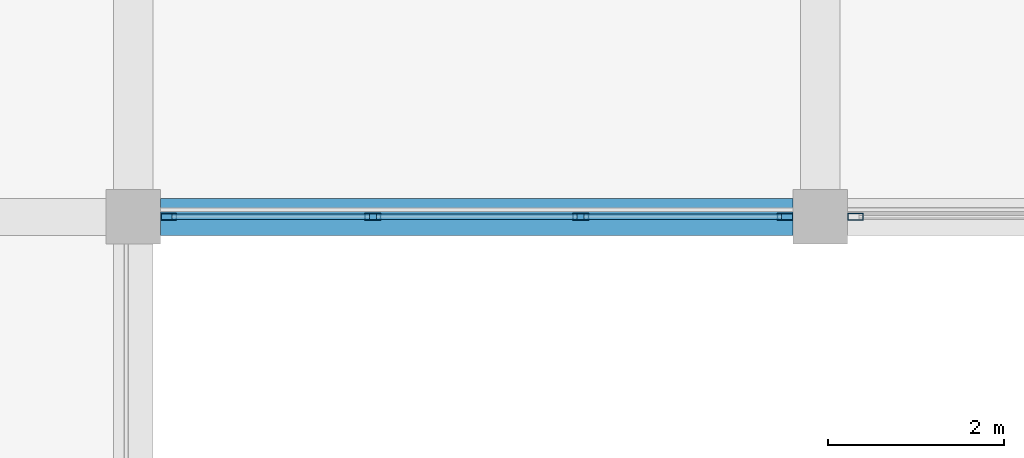
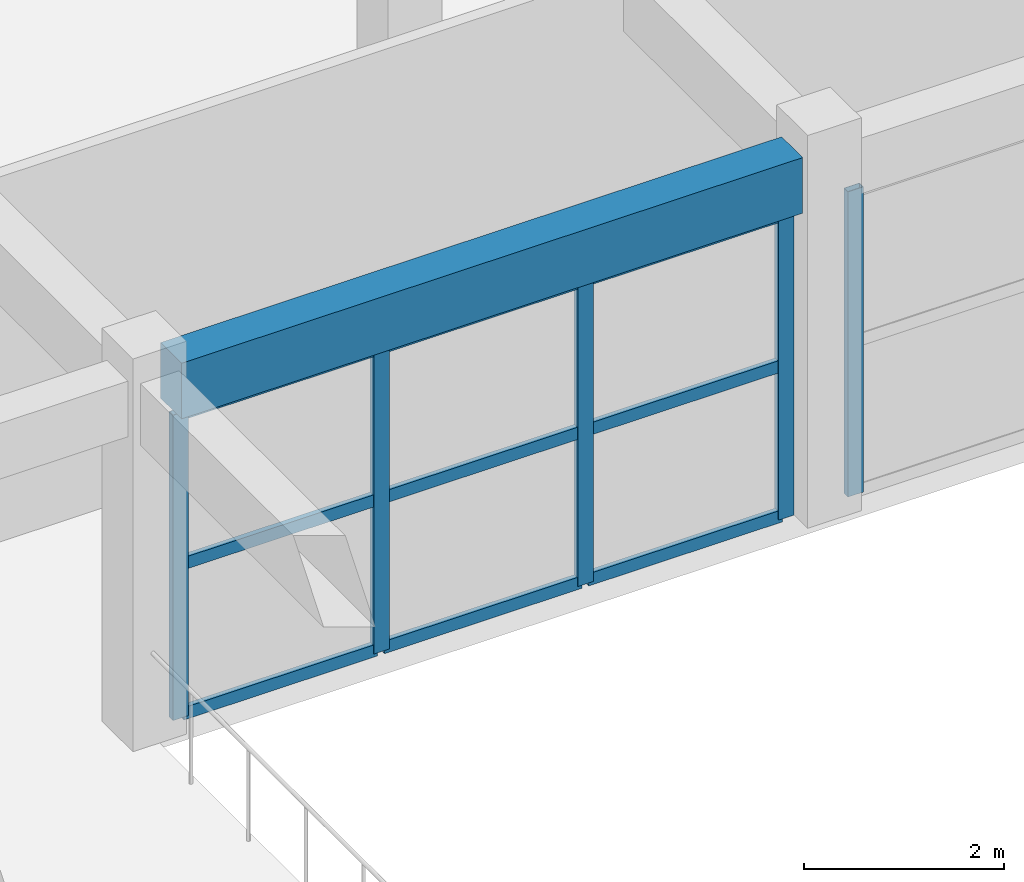
# One storey, part 97 of 167: 14 members, 1 beam, 2 elements without a shape of their own.
"""IFC4 building model written with IfcOpenShell, lengths in metres."""

import ifcopenshell
import ifcopenshell.guid

model = None  # the IFC model being written
_history = None  # IfcOwnerHistory: only IFC2X3 demands one
_inside = {}  # id of a spatial element -> (the spatial element, [elements in it])
_under = {}  # id of a project, library or spatial element -> (it, [spatial elements below it])
_declared = {}  # id of a project -> (the project, [libraries it declares])
_typed = {}  # id of a type object -> (the type object, [elements of that type])
_made_of = {}  # id of a material, layer set ... -> (it, [elements and type objects made of it])


def new_model(schema):
    """Start an empty IFC model of exactly this schema.

    Asked for "IFC4X3", IfcOpenShell would pick the latest addendum, in which some entities
    have other attributes; the version numbers below select the first issue.
    IFC2X3 requires an IfcOwnerHistory on every rooted entity: one is made here for all.
    """
    global model, _history
    if schema == "IFC4X3":
        model = ifcopenshell.file(schema_version=(4, 3, 0, 0))
    else:
        model = ifcopenshell.file(schema=schema)
    _inside.clear()
    _under.clear()
    _declared.clear()
    _typed.clear()
    _made_of.clear()
    _history = None
    if model.schema == "IFC2X3":
        org = make("IfcOrganization", Name="unknown")
        user = make(
            "IfcPersonAndOrganization",
            ThePerson=make("IfcPerson", FamilyName="unknown"),
            TheOrganization=org,
        )
        app = make(
            "IfcApplication",
            ApplicationDeveloper=org,
            Version="unknown",
            ApplicationFullName="unknown",
            ApplicationIdentifier="unknown",
        )
        _history = make(
            "IfcOwnerHistory",
            OwningUser=user,
            OwningApplication=app,
            ChangeAction="ADDED",
            CreationDate=0,
        )
    return model


def make(cls, **values):
    """One entity of the class cls with the attributes given. An attribute that is None is left unset."""
    return model.create_entity(
        cls, **{name: value for name, value in values.items() if value is not None}
    )


def rooted(cls, **values):
    """An entity with a GlobalId (a new one), such as an element, a storey or a relation."""
    return make(cls, GlobalId=ifcopenshell.guid.new(), OwnerHistory=_history, **values)


def si_unit(unit_type, name, prefix=None):
    """IfcSIUnit, for example si_unit("LENGTHUNIT", "METRE", prefix="MILLI")."""
    return make("IfcSIUnit", UnitType=unit_type, Prefix=prefix, Name=name)


def assignment(units):
    """IfcUnitAssignment: the units of a project."""
    return None if units is None else make("IfcUnitAssignment", Units=units)


def point(xyz):
    """IfcCartesianPoint."""
    return None if xyz is None else make("IfcCartesianPoint", Coordinates=xyz)


def direction(xyz):
    """IfcDirection."""
    return None if xyz is None else make("IfcDirection", DirectionRatios=xyz)


def frame(location, z_axis=None, x_axis=None):
    """IfcAxis2Placement3D, a coordinate frame: its origin and axes. An axis left out is left unset."""
    return make(
        "IfcAxis2Placement3D",
        Location=point(location),
        Axis=direction(z_axis),
        RefDirection=direction(x_axis),
    )


def frame_2d(location, x_axis=None):
    """IfcAxis2Placement2D, a coordinate frame in the plane: its origin and x axis."""
    return make(
        "IfcAxis2Placement2D", Location=point(location), RefDirection=direction(x_axis)
    )


def origin():
    """The frame at (0, 0, 0) with its axes left unset."""
    return frame((0.0, 0.0, 0.0))


def origin_2d():
    """The frame at (0, 0) in the plane with its x axis left unset."""
    return frame_2d((0.0, 0.0))


def place(relative_to, where):
    """IfcLocalPlacement: puts the frame where relative to a parent placement (None: the world)."""
    return make(
        "IfcLocalPlacement", PlacementRelTo=relative_to, RelativePlacement=where
    )


def context(
    kind, dimensions, precision=None, world=None, true_north=None, identifier=None
):
    """IfcGeometricRepresentationContext, for example the 3D "Model" context."""
    return make(
        "IfcGeometricRepresentationContext",
        ContextIdentifier=identifier,
        ContextType=kind,
        CoordinateSpaceDimension=dimensions,
        Precision=precision,
        WorldCoordinateSystem=world,
        TrueNorth=true_north,
    )


def subcontext(parent, identifier, kind, view, scale=None):
    """IfcGeometricRepresentationSubContext, for example "Body" below "Model"."""
    return make(
        "IfcGeometricRepresentationSubContext",
        ContextIdentifier=identifier,
        ContextType=kind,
        ParentContext=parent,
        TargetScale=scale,
        TargetView=view,
    )


def project(units=None, contexts=None):
    """IfcProject with its units and contexts."""
    return rooted(
        "IfcProject",
        Name="project",
        RepresentationContexts=contexts,
        UnitsInContext=assignment(units),
    )


def spatial(cls, under=None, at=None, **own):
    """A site, building, storey or space (cls), placed at a placement, below another one or the project."""
    s = rooted(cls, ObjectPlacement=at, **own)
    if under is not None:
        _under.setdefault(under.id(), (under, []))[1].append(s)
    return s


def profile(cls, at=None, kind="AREA", **sizes):
    """A parametric profile (cls). Its sizes go by their IFC names, for example OverallWidth=200.0."""
    return make(cls, ProfileType=kind, Position=at, **sizes)


def rectangle(**sizes):
    """IfcRectangleProfileDef."""
    return profile("IfcRectangleProfileDef", **sizes)


def hollow_rectangle(**sizes):
    """IfcRectangleHollowProfileDef."""
    return profile("IfcRectangleHollowProfileDef", **sizes)


def extrude(swept, where, along, depth):
    """IfcExtrudedAreaSolid: the profile swept, set in the frame where, extruded along a direction by depth."""
    return make(
        "IfcExtrudedAreaSolid",
        SweptArea=swept,
        Position=where,
        ExtrudedDirection=direction(along),
        Depth=depth,
    )


def shape(context_of_items, identifier, shape_type, items):
    """IfcShapeRepresentation: the items that make up one representation, for example the "Body"."""
    return make(
        "IfcShapeRepresentation",
        ContextOfItems=context_of_items,
        RepresentationIdentifier=identifier,
        RepresentationType=shape_type,
        Items=items,
    )


def material(Name=None, Category=None):
    """IfcMaterial."""
    return make("IfcMaterial", Name=Name, Category=Category)


def layer(
    of_material, thickness, ventilated=None, Name=None, Category=None, Priority=None
):
    """IfcMaterialLayer: one layer of a wall or slab, of a material (None: an air gap)."""
    return make(
        "IfcMaterialLayer",
        Material=of_material,
        LayerThickness=thickness,
        IsVentilated=ventilated,
        Name=Name,
        Category=Category,
        Priority=Priority,
    )


def layer_set(layers, Name=None):
    """IfcMaterialLayerSet."""
    return make("IfcMaterialLayerSet", MaterialLayers=layers, LayerSetName=Name)


def material_profile(
    of_material, cross_section, Name=None, Category=None, Priority=None
):
    """IfcMaterialProfile: a cross section and its material."""
    return make(
        "IfcMaterialProfile",
        Name=Name,
        Material=of_material,
        Profile=cross_section,
        Priority=Priority,
        Category=Category,
    )


def profile_set(profiles, Name=None, composite=None):
    """IfcMaterialProfileSet."""
    return make(
        "IfcMaterialProfileSet",
        Name=Name,
        MaterialProfiles=profiles,
        CompositeProfile=composite,
    )


def made_of(thing, what):
    """Note that an element or type object is made of a material, layer set ...; save() writes the relation."""
    if what is not None:
        _made_of.setdefault(what.id(), (what, []))[1].append(thing)
    return thing


def type_object(cls, material=None, **own):
    """A type object (cls), such as IfcWallType, which elements share."""
    return made_of(rooted(cls, **own), material)


def element(
    cls,
    number,
    at=None,
    inside=None,
    cuts=None,
    type_object=None,
    material=None,
    context=None,
    identifier="Body",
    shape_type=None,
    held_by="IfcProductDefinitionShape",
    body=None,
    shapes=None,
    **own,
):
    """One element of the class cls, such as IfcWall. Its Tag is "e" and its number.

    at: its placement. inside: the storey or other place that contains it. cuts: it is an
    opening in that element (IfcRelVoidsElement). A single representation is given by context,
    identifier, shape_type and body (its items); several are given by shapes. held_by: the class
    of the entity that holds the representations. save() writes the other relations.
    """
    e = rooted(cls, Tag="e%d" % number, ObjectPlacement=at, **own)
    if body is not None:
        shapes = [shape(context, identifier, shape_type, body)]
    if shapes is not None:
        e.Representation = make(held_by, Representations=shapes)
    if inside is not None:
        _inside.setdefault(inside.id(), (inside, []))[1].append(e)
    if cuts is not None:
        rooted(
            "IfcRelVoidsElement", RelatingBuildingElement=cuts, RelatedOpeningElement=e
        )
    if type_object is not None:
        _typed.setdefault(type_object.id(), (type_object, []))[1].append(e)
    return made_of(e, material)


def aggregate(whole, parts):
    """IfcRelAggregates: a whole, such as a stair, and the parts it consists of."""
    return rooted("IfcRelAggregates", RelatingObject=whole, RelatedObjects=parts)


def save(model, path):
    """Write the relations noted so far, then the file.

    IfcRelAggregates (storeys below a building ...), IfcRelContainedInSpatialStructure (elements
    in a storey), IfcRelDefinesByType, IfcRelAssociatesMaterial and IfcRelDeclares: one each for
    every whole, place, type object, material and project.
    """
    for whole, parts in _under.values():
        aggregate(whole, parts)
    for where, things in _inside.values():
        rooted(
            "IfcRelContainedInSpatialStructure",
            RelatedElements=things,
            RelatingStructure=where,
        )
    for kind, things in _typed.values():
        rooted("IfcRelDefinesByType", RelatedObjects=things, RelatingType=kind)
    for what, things in _made_of.values():
        rooted("IfcRelAssociatesMaterial", RelatedObjects=things, RelatingMaterial=what)
    for by, libraries in _declared.values():
        rooted("IfcRelDeclares", RelatingContext=by, RelatedDefinitions=libraries)
    model.write(path)


model = new_model("IFC4")

# Units and contexts
model_context = context("Model", 3, precision=1e-05, world=origin(), true_north=direction((0.0, 1.0)))
body_context = subcontext(model_context, "Body", "Model", "MODEL_VIEW")
ifc_project = project(units=[si_unit("LENGTHUNIT", "METRE"), si_unit("AREAUNIT", "SQUARE_METRE"), si_unit("VOLUMEUNIT", "CUBIC_METRE"), si_unit("PLANEANGLEUNIT", "RADIAN"), si_unit("MASSUNIT", "GRAM", prefix="KILO")], contexts=[model_context])

# Site, building, storey
site_placement = place(None, origin())
site = spatial("IfcSite", under=ifc_project, at=site_placement, CompositionType="ELEMENT")
building_placement = place(site_placement, origin())
building = spatial("IfcBuilding", under=site, at=building_placement, Name="Zizhar Promenade General Hospital", CompositionType="ELEMENT")
storey_placement = place(building_placement, frame((0.0, 0.0, 9.60009765625)))
storey = spatial("IfcBuildingStorey", under=building, at=storey_placement, Name="L02", CompositionType="ELEMENT", Elevation=9.60009765625)

# Beam
ifc_material_1 = material(Name="Concrete C35/45", Category="concrete")
ifc_material_profile_1 = material_profile(ifc_material_1, rectangle(XDim=0.419921875, YDim=0.679931640625, at=origin_2d()))
ifc_profile_set_1 = profile_set([ifc_material_profile_1], Name="Concrete C35/45")
beam_type = type_object("IfcBeamType", Name="BM-RC-420x680", PredefinedType="JOIST", material=ifc_profile_set_1)
beam_placement = place(storey_placement, frame((148.510009765625, 92.39990234375, 4.1298828125), z_axis=(1.0, 0.0, 0.0), x_axis=(0.0, 1.0, 0.0)))
element("IfcBeam", 1, at=beam_placement, inside=storey, type_object=beam_type, Name="Grid Beam X L02 (19-11)", PredefinedType="JOIST", context=body_context, shape_type="SweptSolid", body=[
    extrude(rectangle(XDim=0.419921875, YDim=0.679931640625, at=origin_2d()), origin(), (0.0, 0.0, 1.0), 7.179931640625),
])

# Curtain wall, members
ifc_material_2 = material(Name="Anodised aluminium 6063-T6 and low-E glass", Category="aluminium")
ifc_layer = layer(ifc_material_2, 0.159912109375)
ifc_layer_set = layer_set([ifc_layer], Name="Anodised aluminium 6063-T6 and low-E glass")
curtain_wall_type = type_object("IfcCurtainWallType", Name="CW-CLN-CRT", PredefinedType="NOTDEFINED", material=ifc_layer_set)
curtain_wall_1_placement = place(storey_placement, origin())
curtain_wall_1 = element("IfcCurtainWall", 2, at=curtain_wall_1_placement, inside=storey, type_object=curtain_wall_type, Name="East Light Court North Glazing L02-19", PredefinedType="NOTDEFINED")
ifc_material_3 = material(Name="Anodised aluminium 6063-T6", Category="aluminium")
ifc_material_profile_2 = material_profile(ifc_material_3, hollow_rectangle(XDim=0.080078125, YDim=0.179931640625, WallThickness=0.0048828125, at=origin_2d()))
ifc_profile_set_2 = profile_set([ifc_material_profile_2], Name="Anodised aluminium 6063-T6")
member_type_1 = type_object("IfcMemberType", Name="CWM-ALU-180x80", PredefinedType="MULLION", material=ifc_profile_set_2)
member_1_placement = place(storey_placement, frame((155.60009765625, 92.39990234375, 0.0), z_axis=(0.0, 0.0, 1.0), x_axis=(0.0, -1.0, 0.0)))
member_1 = element("IfcMember", 3, at=member_1_placement, type_object=member_type_1, Name="CW-10 mullion 1", PredefinedType="MULLION", context=body_context, shape_type="SweptSolid", body=[
    extrude(hollow_rectangle(XDim=0.080078125, YDim=0.179931640625, WallThickness=0.0048828125, at=origin_2d()), origin(), (0.0, 0.0, 1.0), 3.72998046875),
])
member_2_placement = place(storey_placement, frame((153.280029296875, 92.39990234375, 0.0), z_axis=(0.0, 0.0, 1.0), x_axis=(0.0, -1.0, 0.0)))
member_2 = element("IfcMember", 4, at=member_2_placement, type_object=member_type_1, Name="CW-10 mullion 2", PredefinedType="MULLION", context=body_context, shape_type="SweptSolid", body=[
    extrude(hollow_rectangle(XDim=0.080078125, YDim=0.179931640625, WallThickness=0.0048828125, at=origin_2d()), origin(), (0.0, 0.0, 1.0), 3.72998046875),
])
member_3_placement = place(storey_placement, frame((150.919921875, 92.39990234375, 0.0), z_axis=(0.0, 0.0, 1.0), x_axis=(0.0, -1.0, 0.0)))
member_3 = element("IfcMember", 5, at=member_3_placement, type_object=member_type_1, Name="CW-10 mullion 3", PredefinedType="MULLION", context=body_context, shape_type="SweptSolid", body=[
    extrude(hollow_rectangle(XDim=0.080078125, YDim=0.179931640625, WallThickness=0.0048828125, at=origin_2d()), origin(), (0.0, 0.0, 1.0), 3.72998046875),
])
member_4_placement = place(storey_placement, frame((148.60009765625, 92.39990234375, 0.0), z_axis=(0.0, 0.0, 1.0), x_axis=(0.0, -1.0, 0.0)))
member_4 = element("IfcMember", 6, at=member_4_placement, type_object=member_type_1, Name="CW-10 mullion 4", PredefinedType="MULLION", context=body_context, shape_type="SweptSolid", body=[
    extrude(hollow_rectangle(XDim=0.080078125, YDim=0.179931640625, WallThickness=0.0048828125, at=origin_2d()), origin(), (0.0, 0.0, 1.0), 3.72998046875),
])

# Curtain wall, member
curtain_wall_2_placement = place(storey_placement, origin())
curtain_wall_2 = element("IfcCurtainWall", 7, at=curtain_wall_2_placement, inside=storey, type_object=curtain_wall_type, Name="East Light Court North Glazing L02-20", PredefinedType="NOTDEFINED")
member_5_placement = place(storey_placement, frame((156.39990234375, 92.39990234375, 0.0), z_axis=(0.0, 0.0, 1.0), x_axis=(0.0, -1.0, 0.0)))
member_5 = element("IfcMember", 8, at=member_5_placement, type_object=member_type_1, Name="CW-10 mullion 4", PredefinedType="MULLION", context=body_context, shape_type="SweptSolid", body=[
    extrude(hollow_rectangle(XDim=0.080078125, YDim=0.179931640625, WallThickness=0.0048828125, at=origin_2d()), origin(), (0.0, 0.0, 1.0), 3.72998046875),
])
aggregate(curtain_wall_2, [member_5])

# Member
ifc_material_4 = material(Name="Anodised aluminium 6063-T6", Category="aluminium")
ifc_material_profile_3 = material_profile(ifc_material_4, hollow_rectangle(XDim=0.06005859375, YDim=0.14990234375, WallThickness=0.00390625, at=origin_2d()))
ifc_profile_set_3 = profile_set([ifc_material_profile_3], Name="Anodised aluminium 6063-T6")
member_type_2 = type_object("IfcMemberType", Name="CWT-ALU-150x60", PredefinedType="USERDEFINED", material=ifc_profile_set_3)
member_6_placement = place(storey_placement, frame((155.56005859375, 92.39990234375, 0.02978515625), z_axis=(-1.0, 0.0, 0.0), x_axis=(0.0, -1.0, 0.0)))
member_6 = element("IfcMember", 9, at=member_6_placement, type_object=member_type_2, Name="CW-10 transom 1.1", ObjectType="TRANSOM", PredefinedType="USERDEFINED", context=body_context, shape_type="SweptSolid", body=[
    extrude(hollow_rectangle(XDim=0.06005859375, YDim=0.14990234375, WallThickness=0.00390625, at=origin_2d()), origin(), (0.0, 0.0, 1.0), 2.239990234375),
])

member_7_placement = place(storey_placement, frame((155.56005859375, 92.39990234375, 1.864990234375), z_axis=(-1.0, 0.0, 0.0), x_axis=(0.0, -1.0, 0.0)))
member_7 = element("IfcMember", 10, at=member_7_placement, type_object=member_type_2, Name="CW-10 transom 1.2", ObjectType="TRANSOM", PredefinedType="USERDEFINED", context=body_context, shape_type="SweptSolid", body=[
    extrude(hollow_rectangle(XDim=0.06005859375, YDim=0.14990234375, WallThickness=0.00390625, at=origin_2d()), origin(), (0.0, 0.0, 1.0), 2.239990234375),
])

member_8_placement = place(storey_placement, frame((155.56005859375, 92.39990234375, 3.699951171875), z_axis=(-1.0, 0.0, 0.0), x_axis=(0.0, -1.0, 0.0)))
member_8 = element("IfcMember", 11, at=member_8_placement, type_object=member_type_2, Name="CW-10 transom 1.3", ObjectType="TRANSOM", PredefinedType="USERDEFINED", context=body_context, shape_type="SweptSolid", body=[
    extrude(hollow_rectangle(XDim=0.06005859375, YDim=0.14990234375, WallThickness=0.00390625, at=origin_2d()), origin(), (0.0, 0.0, 1.0), 2.239990234375),
])

member_9_placement = place(storey_placement, frame((153.239990234375, 92.39990234375, 0.02978515625), z_axis=(-1.0, 0.0, 0.0), x_axis=(0.0, -1.0, 0.0)))
member_9 = element("IfcMember", 12, at=member_9_placement, type_object=member_type_2, Name="CW-10 transom 2.1", ObjectType="TRANSOM", PredefinedType="USERDEFINED", context=body_context, shape_type="SweptSolid", body=[
    extrude(hollow_rectangle(XDim=0.06005859375, YDim=0.14990234375, WallThickness=0.00390625, at=origin_2d()), origin(), (0.0, 0.0, 1.0), 2.280029296875),
])

member_10_placement = place(storey_placement, frame((153.239990234375, 92.39990234375, 1.864990234375), z_axis=(-1.0, 0.0, 0.0), x_axis=(0.0, -1.0, 0.0)))
member_10 = element("IfcMember", 13, at=member_10_placement, type_object=member_type_2, Name="CW-10 transom 2.2", ObjectType="TRANSOM", PredefinedType="USERDEFINED", context=body_context, shape_type="SweptSolid", body=[
    extrude(hollow_rectangle(XDim=0.06005859375, YDim=0.14990234375, WallThickness=0.00390625, at=origin_2d()), origin(), (0.0, 0.0, 1.0), 2.280029296875),
])

member_11_placement = place(storey_placement, frame((153.239990234375, 92.39990234375, 3.699951171875), z_axis=(-1.0, 0.0, 0.0), x_axis=(0.0, -1.0, 0.0)))
member_11 = element("IfcMember", 14, at=member_11_placement, type_object=member_type_2, Name="CW-10 transom 2.3", ObjectType="TRANSOM", PredefinedType="USERDEFINED", context=body_context, shape_type="SweptSolid", body=[
    extrude(hollow_rectangle(XDim=0.06005859375, YDim=0.14990234375, WallThickness=0.00390625, at=origin_2d()), origin(), (0.0, 0.0, 1.0), 2.280029296875),
])

member_12_placement = place(storey_placement, frame((150.8798828125, 92.39990234375, 0.02978515625), z_axis=(-1.0, 0.0, 0.0), x_axis=(0.0, -1.0, 0.0)))
member_12 = element("IfcMember", 15, at=member_12_placement, type_object=member_type_2, Name="CW-10 transom 3.1", ObjectType="TRANSOM", PredefinedType="USERDEFINED", context=body_context, shape_type="SweptSolid", body=[
    extrude(hollow_rectangle(XDim=0.06005859375, YDim=0.14990234375, WallThickness=0.00390625, at=origin_2d()), origin(), (0.0, 0.0, 1.0), 2.239990234375),
])

member_13_placement = place(storey_placement, frame((150.8798828125, 92.39990234375, 1.864990234375), z_axis=(-1.0, 0.0, 0.0), x_axis=(0.0, -1.0, 0.0)))
member_13 = element("IfcMember", 16, at=member_13_placement, type_object=member_type_2, Name="CW-10 transom 3.2", ObjectType="TRANSOM", PredefinedType="USERDEFINED", context=body_context, shape_type="SweptSolid", body=[
    extrude(hollow_rectangle(XDim=0.06005859375, YDim=0.14990234375, WallThickness=0.00390625, at=origin_2d()), origin(), (0.0, 0.0, 1.0), 2.239990234375),
])

member_14_placement = place(storey_placement, frame((150.8798828125, 92.39990234375, 3.699951171875), z_axis=(-1.0, 0.0, 0.0), x_axis=(0.0, -1.0, 0.0)))
member_14 = element("IfcMember", 17, at=member_14_placement, type_object=member_type_2, Name="CW-10 transom 3.3", ObjectType="TRANSOM", PredefinedType="USERDEFINED", context=body_context, shape_type="SweptSolid", body=[
    extrude(hollow_rectangle(XDim=0.06005859375, YDim=0.14990234375, WallThickness=0.00390625, at=origin_2d()), origin(), (0.0, 0.0, 1.0), 2.239990234375),
])

aggregate(curtain_wall_1, [member_1, member_2, member_3, member_4, member_6, member_7, member_8, member_9, member_10, member_11, member_12, member_13, member_14])

save(model, "model.ifc")
